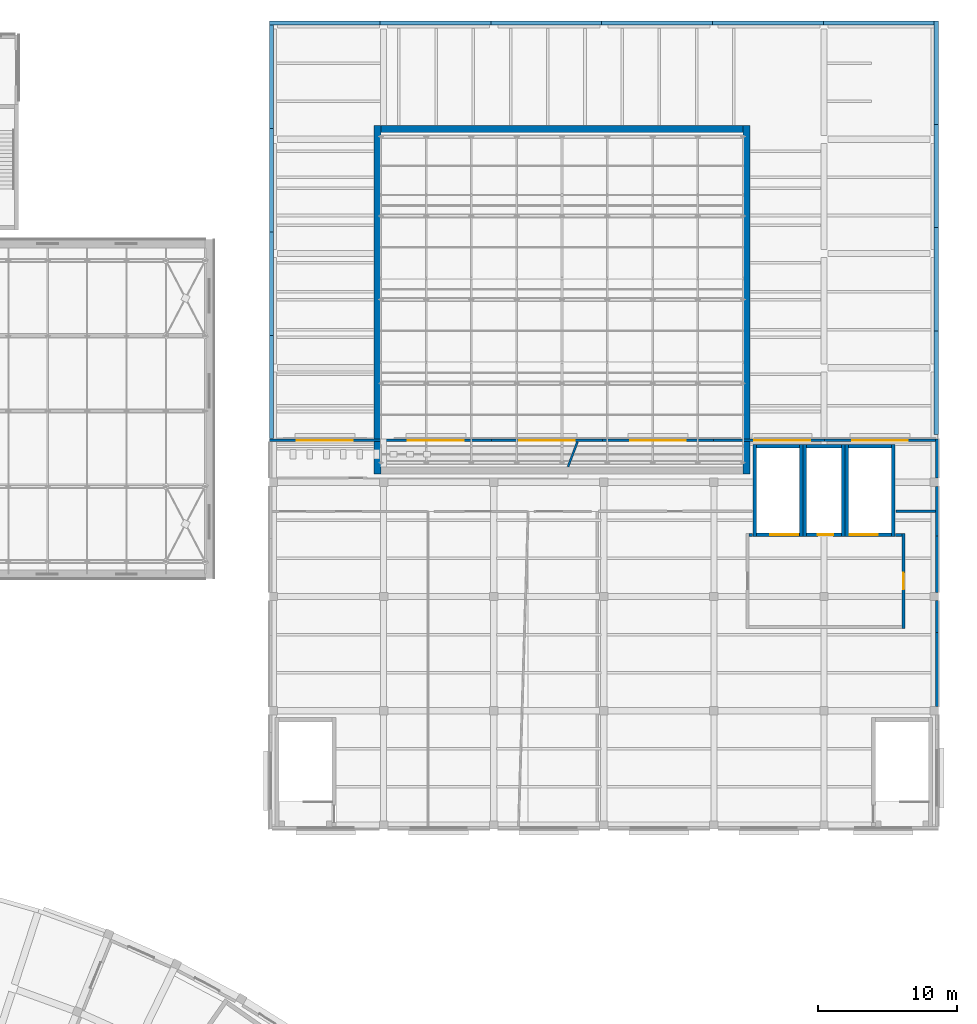
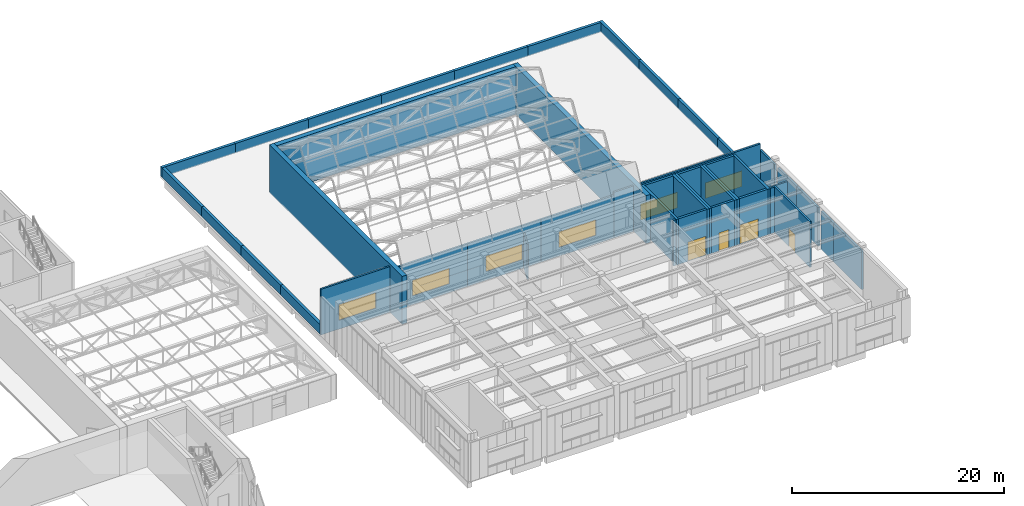
# One storey, part 82 of 132: 45 walls, 6 windows, 4 doors, 10 openings.
"""IFC4 building model written with IfcOpenShell, lengths in metres."""

from ifc_helpers import new_model, si_unit, direction, frame, frame_2d, origin, place, context, subcontext, project, spatial, rectangle, extrude, material, layer, layer_set, type_object, element, fill, save


model = new_model("IFC4")

# Units and contexts
model_context = context("Model", 3, precision=1e-05, world=origin(), true_north=direction((0.0, 1.0)))
body_context = subcontext(model_context, "Body", "Model", "MODEL_VIEW")
ifc_project = project(units=[si_unit("LENGTHUNIT", "METRE"), si_unit("AREAUNIT", "SQUARE_METRE"), si_unit("VOLUMEUNIT", "CUBIC_METRE"), si_unit("PLANEANGLEUNIT", "RADIAN"), si_unit("MASSUNIT", "GRAM", prefix="KILO")], contexts=[model_context])

# Site, building, storey
site_placement = place(None, origin())
site = spatial("IfcSite", under=ifc_project, at=site_placement, CompositionType="ELEMENT")
building_placement = place(site_placement, origin())
building = spatial("IfcBuilding", under=site, at=building_placement, Name="Lunette Opera House", CompositionType="ELEMENT")
storey_placement = place(building_placement, frame((0.0, 0.0, 17.0)))
storey = spatial("IfcBuildingStorey", under=building, at=storey_placement, Name="L03", CompositionType="ELEMENT", Elevation=17.0)

# Walls
ifc_material_1 = material(Name="Plastered clay blockwork", Category="masonry")
ifc_layer_1 = layer(ifc_material_1, 0.175048828125)
ifc_layer_set_1 = layer_set([ifc_layer_1], Name="Plastered clay blockwork")
wall_type_1 = type_object("IfcWallType", Name="ACOUSTIC BLOCK PARTITION 175", PredefinedType="PARTITIONING", material=ifc_layer_set_1)
wall_1_placement = place(storey_placement, frame((183.800048828125, 100.800048828125, 0.0), z_axis=(0.0, 0.0, 1.0), x_axis=(-1.0, 0.0, 0.0)))
element("IfcWall", 1, at=wall_1_placement, inside=storey, type_object=wall_type_1, Name="Partition Scenery Store Upper", PredefinedType="PARTITIONING", context=body_context, shape_type="SweptSolid", body=[
    extrude(rectangle(XDim=2.85009765625, YDim=0.175048828125, at=frame_2d((1.425048828125, 0.0))), origin(), (0.0, 0.0, 1.0), 4.0),
])
ifc_material_2 = material(Name="Plastered clay blockwork", Category="masonry")
ifc_layer_2 = layer(ifc_material_2, 0.14990234375)
ifc_layer_set_2 = layer_set([ifc_layer_2], Name="Plastered clay blockwork")
wall_type_2 = type_object("IfcWallType", Name="BLOCK PARTITION 150", PredefinedType="PARTITIONING", material=ifc_layer_set_2)
wall_2_placement = place(storey_placement, frame((157.428955078125, 104.0009765625, 0.0), z_axis=(0.0, 0.0, 1.0), x_axis=(0.354971642951, 0.934877068229, 0.0)))
element("IfcWall", 2, at=wall_2_placement, inside=storey, type_object=wall_type_2, Name="Partition Workshop WC L03", PredefinedType="PARTITIONING", context=body_context, shape_type="SweptSolid", body=[
    extrude(rectangle(XDim=1.92431640625, YDim=0.14990234375, at=frame_2d((0.962158203125, 0.0))), origin(), (0.0, 0.0, 1.0), 4.0),
])

# Wall, opening, door
ifc_material_3 = material(Name="Concrete C35/45", Category="concrete")
ifc_layer_3 = layer(ifc_material_3, 0.199951171875)
ifc_layer_set_3 = layer_set([ifc_layer_3], Name="Concrete C35/45")
wall_type_3 = type_object("IfcWallType", Name="LOBBY WALL 200", PredefinedType="PARTITIONING", material=ifc_layer_set_3)
wall_3_placement = place(storey_placement, frame((181.5, 92.39990234375, 0.0), z_axis=(0.0, 0.0, 1.0), x_axis=(0.0, 1.0, 0.0)))
wall_3 = element("IfcWall", 3, at=wall_3_placement, inside=storey, type_object=wall_type_3, Name="LL-W lobby wall 1a", PredefinedType="PARTITIONING", context=body_context, shape_type="SweptSolid", body=[
    extrude(rectangle(XDim=6.800048828125, YDim=0.199951171875, at=frame_2d((3.39990234375, 0.0))), origin(), (0.0, 0.0, 1.0), 5.25),
])
opening_1_placement = place(wall_3_placement, frame((2.800048828125, 0.0, 0.0)))
opening_1 = element("IfcOpeningElement", 4, at=opening_1_placement, cuts=wall_3, Name="Opening WW-D7023", PredefinedType="OPENING", context=body_context, shape_type="SweptSolid", body=[
    extrude(rectangle(XDim=1.199951171875, YDim=2.10009765625, at=frame_2d((0.60009765625, 1.050048828125))), frame((0.0, 0.112060546875, 0.0), z_axis=(0.0, -1.0, 0.0), x_axis=(1.0, 0.0, 0.0)), (0.0, 0.0, 1.0), 0.223876953125),
])
ifc_material_4 = material(Name="Steel", Category="steel")
door_type_1 = type_object("IfcDoorType", Name="FIRE DOOR 1200 X 2100", OperationType="SINGLE_SWING_LEFT", PredefinedType="DOOR", material=ifc_material_4)
door_1_placement = place(opening_1_placement, origin())
door_1 = element("IfcDoor", 5, at=door_1_placement, inside=storey, type_object=door_type_1, Name="LL-W lobby door", OperationType="SINGLE_SWING_LEFT", OverallHeight=2.10009765625, OverallWidth=1.199951171875, PredefinedType="DOOR", context=body_context, shape_type="SweptSolid", body=[
    extrude(rectangle(XDim=1.199951171875, YDim=2.10009765625, at=frame_2d((0.60009765625, 1.050048828125))), frame((0.0, 0.02490234375, 0.0), z_axis=(0.0, -1.0, 0.0), x_axis=(1.0, 0.0, 0.0)), (0.0, 0.0, 1.0), 0.050048828125),
])
fill(opening_1, door_1)

# Walls
wall_4_placement = place(storey_placement, frame((181.39990234375, 99.10009765625, 0.0), z_axis=(0.0, 0.0, 1.0), x_axis=(-1.0, 0.0, 0.0)))
element("IfcWall", 6, at=wall_4_placement, inside=storey, type_object=wall_type_3, Name="LL-W lobby wall 2a", PredefinedType="PARTITIONING", context=body_context, shape_type="SweptSolid", body=[
    extrude(rectangle(XDim=0.47998046875, YDim=0.199951171875, at=frame_2d((0.239990234375, 0.0))), origin(), (0.0, 0.0, 1.0), 5.25),
])
wall_5_placement = place(storey_placement, frame((170.679931640625, 99.10009765625, 0.0), z_axis=(0.0, 0.0, 1.0), x_axis=(-1.0, 0.0, 0.0)))
element("IfcWall", 7, at=wall_5_placement, inside=storey, type_object=wall_type_3, Name="LL-W lobby wall 2b", PredefinedType="PARTITIONING", context=body_context, shape_type="SweptSolid", body=[
    extrude(rectangle(XDim=0.280029296875, YDim=0.199951171875, at=frame_2d((0.14013671875, 0.0))), origin(), (0.0, 0.0, 1.0), 5.25),
])
ifc_material_5 = material(Name="Concrete C35/45", Category="concrete")
ifc_layer_4 = layer(ifc_material_5, 0.25)
ifc_layer_set_4 = layer_set([ifc_layer_4], Name="Concrete C35/45")
wall_type_4 = type_object("IfcWallType", Name="RC LIFT SHAFT WALL 250", PredefinedType="SOLIDWALL", material=ifc_layer_set_4)
wall_6_placement = place(storey_placement, frame((177.175048828125, 99.0, 0.0), z_axis=(0.0, 0.0, 1.0), x_axis=(0.0, 1.0, 0.0)))
element("IfcWall", 8, at=wall_6_placement, inside=storey, type_object=wall_type_4, Name="LF6 shaft wall 1", PredefinedType="SOLIDWALL", context=body_context, shape_type="SweptSolid", body=[
    extrude(rectangle(XDim=6.60009765625, YDim=0.25, at=frame_2d((3.300048828125, 0.0))), origin(), (0.0, 0.0, 1.0), 5.25),
])
wall_7_placement = place(storey_placement, frame((177.050048828125, 105.47509765625, 0.0), z_axis=(0.0, 0.0, 1.0), x_axis=(-1.0, 0.0, 0.0)))
element("IfcWall", 9, at=wall_7_placement, inside=storey, type_object=wall_type_4, Name="LF6 shaft wall 2", PredefinedType="SOLIDWALL", context=body_context, shape_type="SweptSolid", body=[
    extrude(rectangle(XDim=2.5, YDim=0.25, at=frame_2d((1.25, 0.0))), origin(), (0.0, 0.0, 1.0), 5.25),
])
wall_8_placement = place(storey_placement, frame((174.425048828125, 105.60009765625, 0.0), z_axis=(0.0, 0.0, 1.0), x_axis=(0.0, -1.0, 0.0)))
element("IfcWall", 10, at=wall_8_placement, inside=storey, type_object=wall_type_4, Name="LF6 shaft wall 3", PredefinedType="SOLIDWALL", context=body_context, shape_type="SweptSolid", body=[
    extrude(rectangle(XDim=6.60009765625, YDim=0.25, at=frame_2d((3.300048828125, 0.0))), origin(), (0.0, 0.0, 1.0), 5.25),
])

# Wall, opening, door
wall_9_placement = place(storey_placement, frame((174.550048828125, 99.125, 0.0), z_axis=(0.0, 0.0, 1.0), x_axis=(1.0, 0.0, 0.0)))
wall_9 = element("IfcWall", 11, at=wall_9_placement, inside=storey, type_object=wall_type_4, Name="LF6 shaft wall 4", PredefinedType="SOLIDWALL", context=body_context, shape_type="SweptSolid", body=[
    extrude(rectangle(XDim=2.5, YDim=0.25, at=frame_2d((1.25, 0.0))), origin(), (0.0, 0.0, 1.0), 5.25),
])
opening_2_placement = place(wall_9_placement, frame((0.800048828125, 0.0, 0.0)))
opening_2 = element("IfcOpeningElement", 12, at=opening_2_placement, cuts=wall_9, Name="Opening WW-LD005", PredefinedType="OPENING", context=body_context, shape_type="SweptSolid", body=[
    extrude(rectangle(XDim=1.10009765625, YDim=2.10009765625, at=frame_2d((0.550048828125, 1.050048828125))), frame((0.0, 0.136962890625, 0.0), z_axis=(0.0, -1.0, 0.0), x_axis=(1.0, 0.0, 0.0)), (0.0, 0.0, 1.0), 0.27392578125),
])
ifc_material_6 = material(Name="Stainless steel", Category="steel")
door_type_2 = type_object("IfcDoorType", Name="LIFT LANDING DOOR 1100 X 2100", OperationType="DOUBLE_DOOR_SLIDING", PredefinedType="DOOR", material=ifc_material_6)
door_2_placement = place(opening_2_placement, origin())
door_2 = element("IfcDoor", 13, at=door_2_placement, inside=storey, type_object=door_type_2, Name="LF6 lift landing door", OperationType="DOUBLE_DOOR_SLIDING", OverallHeight=2.10009765625, OverallWidth=1.10009765625, PredefinedType="DOOR", context=body_context, shape_type="SweptSolid", body=[
    extrude(rectangle(XDim=1.10009765625, YDim=2.10009765625, at=frame_2d((0.550048828125, 1.050048828125))), frame((0.0, 0.02490234375, 0.0), z_axis=(0.0, -1.0, 0.0), x_axis=(1.0, 0.0, 0.0)), (0.0, 0.0, 1.0), 0.050048828125),
])
fill(opening_2, door_2)

# Walls
wall_10_placement = place(storey_placement, frame((174.175048828125, 99.0, 0.0), z_axis=(0.0, 0.0, 1.0), x_axis=(0.0, 1.0, 0.0)))
element("IfcWall", 14, at=wall_10_placement, inside=storey, type_object=wall_type_4, Name="LG2 shaft wall 1", PredefinedType="SOLIDWALL", context=body_context, shape_type="SweptSolid", body=[
    extrude(rectangle(XDim=6.60009765625, YDim=0.25, at=frame_2d((3.300048828125, 0.0))), origin(), (0.0, 0.0, 1.0), 5.25),
])
wall_11_placement = place(storey_placement, frame((174.050048828125, 105.47509765625, 0.0), z_axis=(0.0, 0.0, 1.0), x_axis=(-1.0, 0.0, 0.0)))
element("IfcWall", 15, at=wall_11_placement, inside=storey, type_object=wall_type_4, Name="LG2 shaft wall 2", PredefinedType="SOLIDWALL", context=body_context, shape_type="SweptSolid", body=[
    extrude(rectangle(XDim=3.10009765625, YDim=0.25, at=frame_2d((1.550048828125, 0.0))), origin(), (0.0, 0.0, 1.0), 5.25),
])
wall_12_placement = place(storey_placement, frame((170.824951171875, 105.60009765625, 0.0), z_axis=(0.0, 0.0, 1.0), x_axis=(0.0, -1.0, 0.0)))
element("IfcWall", 16, at=wall_12_placement, inside=storey, type_object=wall_type_4, Name="LG2 shaft wall 3", PredefinedType="SOLIDWALL", context=body_context, shape_type="SweptSolid", body=[
    extrude(rectangle(XDim=6.60009765625, YDim=0.25, at=frame_2d((3.300048828125, 0.0))), origin(), (0.0, 0.0, 1.0), 5.25),
])

# Wall, opening, door
wall_13_placement = place(storey_placement, frame((170.949951171875, 99.125, 0.0), z_axis=(0.0, 0.0, 1.0), x_axis=(1.0, 0.0, 0.0)))
wall_13 = element("IfcWall", 17, at=wall_13_placement, inside=storey, type_object=wall_type_4, Name="LG2 shaft wall 4", PredefinedType="SOLIDWALL", context=body_context, shape_type="SweptSolid", body=[
    extrude(rectangle(XDim=3.10009765625, YDim=0.25, at=frame_2d((1.550048828125, 0.0))), origin(), (0.0, 0.0, 1.0), 5.25),
])
opening_3_placement = place(wall_13_placement, frame((1.0, 0.0, 0.0)))
opening_3 = element("IfcOpeningElement", 18, at=opening_3_placement, cuts=wall_13, Name="Opening WW-LD010", PredefinedType="OPENING", context=body_context, shape_type="SweptSolid", body=[
    extrude(rectangle(XDim=2.0, YDim=2.199951171875, at=frame_2d((1.0, 1.10009765625))), frame((0.0, 0.136962890625, 0.0), z_axis=(0.0, -1.0, 0.0), x_axis=(1.0, 0.0, 0.0)), (0.0, 0.0, 1.0), 0.27392578125),
])
ifc_material_7 = material(Name="Stainless steel", Category="steel")
door_type_3 = type_object("IfcDoorType", Name="LIFT LANDING DOOR 2000 X 2200", OperationType="DOUBLE_DOOR_SLIDING", PredefinedType="DOOR", material=ifc_material_7)
door_3_placement = place(opening_3_placement, origin())
door_3 = element("IfcDoor", 19, at=door_3_placement, inside=storey, type_object=door_type_3, Name="LG2 lift landing door", OperationType="DOUBLE_DOOR_SLIDING", OverallHeight=2.199951171875, OverallWidth=2.0, PredefinedType="DOOR", context=body_context, shape_type="SweptSolid", body=[
    extrude(rectangle(XDim=2.0, YDim=2.199951171875, at=frame_2d((1.0, 1.10009765625))), frame((0.0, 0.02490234375, 0.0), z_axis=(0.0, -1.0, 0.0), x_axis=(1.0, 0.0, 0.0)), (0.0, 0.0, 1.0), 0.050048828125),
])
fill(opening_3, door_3)

# Walls
wall_14_placement = place(storey_placement, frame((180.77490234375, 99.0, 0.0), z_axis=(0.0, 0.0, 1.0), x_axis=(0.0, 1.0, 0.0)))
element("IfcWall", 20, at=wall_14_placement, inside=storey, type_object=wall_type_4, Name="LG3 shaft wall 1", PredefinedType="SOLIDWALL", context=body_context, shape_type="SweptSolid", body=[
    extrude(rectangle(XDim=6.60009765625, YDim=0.25, at=frame_2d((3.300048828125, 0.0))), origin(), (0.0, 0.0, 1.0), 5.25),
])
wall_15_placement = place(storey_placement, frame((180.64990234375, 105.47509765625, 0.0), z_axis=(0.0, 0.0, 1.0), x_axis=(-1.0, 0.0, 0.0)))
element("IfcWall", 21, at=wall_15_placement, inside=storey, type_object=wall_type_4, Name="LG3 shaft wall 2", PredefinedType="SOLIDWALL", context=body_context, shape_type="SweptSolid", body=[
    extrude(rectangle(XDim=3.099853515625, YDim=0.25, at=frame_2d((1.5498046875, 0.0))), origin(), (0.0, 0.0, 1.0), 5.25),
])
wall_16_placement = place(storey_placement, frame((177.425048828125, 105.60009765625, 0.0), z_axis=(0.0, 0.0, 1.0), x_axis=(0.0, -1.0, 0.0)))
element("IfcWall", 22, at=wall_16_placement, inside=storey, type_object=wall_type_4, Name="LG3 shaft wall 3", PredefinedType="SOLIDWALL", context=body_context, shape_type="SweptSolid", body=[
    extrude(rectangle(XDim=6.60009765625, YDim=0.25, at=frame_2d((3.300048828125, 0.0))), origin(), (0.0, 0.0, 1.0), 5.25),
])

# Wall, opening, door
wall_17_placement = place(storey_placement, frame((177.550048828125, 99.125, 0.0), z_axis=(0.0, 0.0, 1.0), x_axis=(1.0, 0.0, 0.0)))
wall_17 = element("IfcWall", 23, at=wall_17_placement, inside=storey, type_object=wall_type_4, Name="LG3 shaft wall 4", PredefinedType="SOLIDWALL", context=body_context, shape_type="SweptSolid", body=[
    extrude(rectangle(XDim=3.099853515625, YDim=0.25, at=frame_2d((1.5498046875, 0.0))), origin(), (0.0, 0.0, 1.0), 5.25),
])
opening_4_placement = place(wall_17_placement, frame((0.10009765625, 0.0, 0.0)))
opening_4 = element("IfcOpeningElement", 24, at=opening_4_placement, cuts=wall_17, Name="Opening WW-LD015", PredefinedType="OPENING", context=body_context, shape_type="SweptSolid", body=[
    extrude(rectangle(XDim=2.0, YDim=2.199951171875, at=frame_2d((1.0, 1.10009765625))), frame((0.0, 0.136962890625, 0.0), z_axis=(0.0, -1.0, 0.0), x_axis=(1.0, 0.0, 0.0)), (0.0, 0.0, 1.0), 0.27392578125),
])
door_4_placement = place(opening_4_placement, origin())
door_4 = element("IfcDoor", 25, at=door_4_placement, inside=storey, type_object=door_type_3, Name="LG3 lift landing door", OperationType="DOUBLE_DOOR_SLIDING", OverallHeight=2.199951171875, OverallWidth=2.0, PredefinedType="DOOR", context=body_context, shape_type="SweptSolid", body=[
    extrude(rectangle(XDim=2.0, YDim=2.199951171875, at=frame_2d((1.0, 1.10009765625))), frame((0.0, 0.02490234375, 0.0), z_axis=(0.0, -1.0, 0.0), x_axis=(1.0, 0.0, 0.0)), (0.0, 0.0, 1.0), 0.050048828125),
])
fill(opening_4, door_4)

# Walls
ifc_material_8 = material(Name="Concrete C35/45", Category="concrete")
ifc_layer_5 = layer(ifc_material_8, 0.5)
ifc_layer_set_5 = layer_set([ifc_layer_5], Name="Concrete C35/45")
wall_type_5 = type_object("IfcWallType", Name="RC WALL 500", PredefinedType="SHEAR", material=ifc_layer_set_5)
wall_18_placement = place(storey_placement, frame((143.5, 128.25, 0.0), z_axis=(0.0, 0.0, 1.0), x_axis=(1.0, 0.0, 0.0)))
element("IfcWall", 26, at=wall_18_placement, inside=storey, type_object=wall_type_5, Name="wall-WW-L03-PH-N-1", PredefinedType="SHEAR", context=body_context, shape_type="SweptSolid", body=[
    extrude(rectangle(XDim=27.0, YDim=0.5, at=frame_2d((13.5, 0.0))), origin(), (0.0, 0.0, 1.0), 5.5),
])
for number, where, z_axis, x_axis, name in (
    (27, (143.75, 103.5, 0.0), (0.0, 0.0, 1.0), (0.0, 1.0, 0.0), "wall-WW-L03-PH-W-1"),
    (28, (170.25, 103.5, 0.0), (0.0, 0.0, 1.0), (0.0, 1.0, 0.0), "wall-WW-L03-PH-E-1"),
):
    element("IfcWall", number, at=place(storey_placement, frame(where, z_axis=z_axis, x_axis=x_axis)), inside=storey, type_object=wall_type_5, Name=name, PredefinedType="SHEAR", context=body_context, shape_type="SweptSolid", body=[
        extrude(rectangle(XDim=25.0, YDim=0.5, at=frame_2d((12.5, 0.0))), origin(), (0.0, 0.0, 1.0), 5.5),
    ])
ifc_material_9 = material(Name="Clinker brick", Category="masonry")
ifc_layer_6 = layer(ifc_material_9, 0.300048828125)
ifc_layer_set_6 = layer_set([ifc_layer_6], Name="Clinker brick")
wall_type_6 = type_object("IfcWallType", Name="ROOF PARAPET WALL 300", PredefinedType="PARAPET", material=ifc_layer_set_6)
for number, where, z_axis, x_axis, name in (
    (29, (183.85009765625, 106.320068359375, 0.0), (0.0, 0.0, 1.0), (0.0, 1.0, 0.0), "Roof Parapet Wall 300 PA-L02-11 L03"),
    (30, (183.85009765625, 113.739990234375, 0.0), (0.0, 0.0, 1.0), (0.0, 1.0, 0.0), "Roof Parapet Wall 300 PA-L02-12 L03"),
):
    element("IfcWall", number, at=place(storey_placement, frame(where, z_axis=z_axis, x_axis=x_axis)), inside=storey, type_object=wall_type_6, Name=name, PredefinedType="PARAPET", context=body_context, shape_type="SweptSolid", body=[
        extrude(rectangle(XDim=7.419921875, YDim=0.300048828125, at=frame_2d((3.7099609375, 0.0))), origin(), (0.0, 0.0, 1.0), 1.10009765625),
    ])
wall_19_placement = place(storey_placement, frame((183.85009765625, 121.159912109375, 0.0), z_axis=(0.0, 0.0, 1.0), x_axis=(0.0, 1.0, 0.0)))
element("IfcWall", 31, at=wall_19_placement, inside=storey, type_object=wall_type_6, Name="Roof Parapet Wall 300 PA-L02-13 L03", PredefinedType="PARAPET", context=body_context, shape_type="SweptSolid", body=[
    extrude(rectangle(XDim=7.420166015625, YDim=0.300048828125, at=frame_2d((3.7099609375, 0.0))), origin(), (0.0, 0.0, 1.0), 1.10009765625),
])
wall_20_placement = place(storey_placement, frame((183.85009765625, 128.580078125, 0.0), z_axis=(0.0, 0.0, 1.0), x_axis=(0.0, 1.0, 0.0)))
element("IfcWall", 32, at=wall_20_placement, inside=storey, type_object=wall_type_6, Name="Roof Parapet Wall 300 PA-L02-14 L03", PredefinedType="PARAPET", context=body_context, shape_type="SweptSolid", body=[
    extrude(rectangle(XDim=7.419921875, YDim=0.300048828125, at=frame_2d((3.7099609375, 0.0))), origin(), (0.0, 0.0, 1.0), 1.10009765625),
])
for number, where, z_axis, x_axis, name in (
    (33, (183.699951171875, 135.85009765625, 0.0), (0.0, 0.0, 1.0), (-1.0, 0.0, 0.0), "Roof Parapet Wall 300 PA-L02-15 L03"),
    (34, (175.75, 135.85009765625, 0.0), (0.0, 0.0, 1.0), (-1.0, 0.0, 0.0), "Roof Parapet Wall 300 PA-L02-16 L03"),
    (35, (167.800048828125, 135.85009765625, 0.0), (0.0, 0.0, 1.0), (-1.0, 0.0, 0.0), "Roof Parapet Wall 300 PA-L02-17 L03"),
):
    element("IfcWall", number, at=place(storey_placement, frame(where, z_axis=z_axis, x_axis=x_axis)), inside=storey, type_object=wall_type_6, Name=name, PredefinedType="PARAPET", context=body_context, shape_type="SweptSolid", body=[
        extrude(rectangle(XDim=7.949951171875, YDim=0.300048828125, at=frame_2d((3.97509765625, 0.0))), origin(), (0.0, 0.0, 1.0), 1.10009765625),
    ])
wall_21_placement = place(storey_placement, frame((159.85009765625, 135.85009765625, 0.0), z_axis=(0.0, 0.0, 1.0), x_axis=(-1.0, 0.0, 0.0)))
element("IfcWall", 36, at=wall_21_placement, inside=storey, type_object=wall_type_6, Name="Roof Parapet Wall 300 PA-L02-18 L03", PredefinedType="PARAPET", context=body_context, shape_type="SweptSolid", body=[
    extrude(rectangle(XDim=7.9501953125, YDim=0.300048828125, at=frame_2d((3.97509765625, 0.0))), origin(), (0.0, 0.0, 1.0), 1.10009765625),
])
for number, where, z_axis, x_axis, name in (
    (37, (151.89990234375, 135.85009765625, 0.0), (0.0, 0.0, 1.0), (-1.0, 0.0, 0.0), "Roof Parapet Wall 300 PA-L02-19 L03"),
    (38, (143.949951171875, 135.85009765625, 0.0), (0.0, 0.0, 1.0), (-1.0, 0.0, 0.0), "Roof Parapet Wall 300 PA-L02-20 L03"),
):
    element("IfcWall", number, at=place(storey_placement, frame(where, z_axis=z_axis, x_axis=x_axis)), inside=storey, type_object=wall_type_6, Name=name, PredefinedType="PARAPET", context=body_context, shape_type="SweptSolid", body=[
        extrude(rectangle(XDim=7.949951171875, YDim=0.300048828125, at=frame_2d((3.97509765625, 0.0))), origin(), (0.0, 0.0, 1.0), 1.10009765625),
    ])
for number, where, z_axis, x_axis, name in (
    (39, (136.14990234375, 135.699951171875, 0.0), (0.0, 0.0, 1.0), (0.0, -1.0, 0.0), "Roof Parapet Wall 300 PA-L02-21 L03"),
    (40, (136.14990234375, 128.280029296875, 0.0), (0.0, 0.0, 1.0), (0.0, -1.0, 0.0), "Roof Parapet Wall 300 PA-L02-22 L03"),
):
    element("IfcWall", number, at=place(storey_placement, frame(where, z_axis=z_axis, x_axis=x_axis)), inside=storey, type_object=wall_type_6, Name=name, PredefinedType="PARAPET", context=body_context, shape_type="SweptSolid", body=[
        extrude(rectangle(XDim=7.419921875, YDim=0.300048828125, at=frame_2d((3.7099609375, 0.0))), origin(), (0.0, 0.0, 1.0), 1.10009765625),
    ])
wall_22_placement = place(storey_placement, frame((136.14990234375, 120.860107421875, 0.0), z_axis=(0.0, 0.0, 1.0), x_axis=(0.0, -1.0, 0.0)))
element("IfcWall", 41, at=wall_22_placement, inside=storey, type_object=wall_type_6, Name="Roof Parapet Wall 300 PA-L02-23 L03", PredefinedType="PARAPET", context=body_context, shape_type="SweptSolid", body=[
    extrude(rectangle(XDim=7.420166015625, YDim=0.300048828125, at=frame_2d((3.7099609375, 0.0))), origin(), (0.0, 0.0, 1.0), 1.10009765625),
])
wall_23_placement = place(storey_placement, frame((136.14990234375, 113.43994140625, 0.0), z_axis=(0.0, 0.0, 1.0), x_axis=(0.0, -1.0, 0.0)))
element("IfcWall", 42, at=wall_23_placement, inside=storey, type_object=wall_type_6, Name="Roof Parapet Wall 300 PA-L02-24 L03", PredefinedType="PARAPET", context=body_context, shape_type="SweptSolid", body=[
    extrude(rectangle(XDim=7.419921875, YDim=0.300048828125, at=frame_2d((3.7099609375, 0.0))), origin(), (0.0, 0.0, 1.0), 1.10009765625),
])

# Wall, opening, window
ifc_material_10 = material(Name="Insulated aluminium sandwich panel", Category="aluminium")
ifc_layer_7 = layer(ifc_material_10, 0.199951171875)
ifc_layer_set_7 = layer_set([ifc_layer_7], Name="Insulated aluminium sandwich panel")
wall_type_7 = type_object("IfcWallType", Name="WORKSHOP METAL PANEL WALL 200", PredefinedType="SOLIDWALL", material=ifc_layer_set_7)
wall_24_placement = place(storey_placement, frame((183.800048828125, 105.89990234375, 0.0), z_axis=(0.0, 0.0, 1.0), x_axis=(-1.0, 0.0, 0.0)))
wall_24 = element("IfcWall", 43, at=wall_24_placement, inside=storey, type_object=wall_type_7, Name="Workshop Metal Panel Wall 200 F01 L03", PredefinedType="SOLIDWALL", context=body_context, shape_type="SweptSolid", body=[
    extrude(rectangle(XDim=7.967041015625, YDim=0.199951171875, at=frame_2d((3.9833984375, 0.0))), origin(), (0.0, 0.0, 1.0), 5.25),
])
opening_5_placement = place(wall_24_placement, frame((1.98291015625, 0.0, 1.0)))
opening_5 = element("IfcOpeningElement", 44, at=opening_5_placement, cuts=wall_24, Name="Opening WW-N2033", PredefinedType="OPENING", context=body_context, shape_type="SweptSolid", body=[
    extrude(rectangle(XDim=4.0, YDim=1.800048828125, at=frame_2d((2.0, 0.89990234375))), frame((0.0, 0.112060546875, 0.0), z_axis=(0.0, -1.0, 0.0), x_axis=(1.0, 0.0, 0.0)), (0.0, 0.0, 1.0), 0.223876953125),
])
ifc_material_11 = material(Name="Aluminium", Category="aluminium")
window_type = type_object("IfcWindowType", Name="WORKSHOP RIBBON WINDOW 4000 X 1800", PartitioningType="DOUBLE_PANEL_VERTICAL", PredefinedType="WINDOW", material=ifc_material_11)
window_1_placement = place(opening_5_placement, origin())
window_1 = element("IfcWindow", 45, at=window_1_placement, inside=storey, type_object=window_type, Name="Workshop Ribbon Window 4000 X 1800 F01 L03", OverallHeight=1.800048828125, OverallWidth=4.0, PartitioningType="DOUBLE_PANEL_VERTICAL", PredefinedType="WINDOW", context=body_context, shape_type="SweptSolid", body=[
    extrude(rectangle(XDim=4.0, YDim=1.800048828125, at=frame_2d((2.0, 0.89990234375))), frame((0.0, 0.030029296875, 0.0), z_axis=(0.0, -1.0, 0.0), x_axis=(1.0, 0.0, 0.0)), (0.0, 0.0, 1.0), 0.06005859375),
])
fill(opening_5, window_1)

wall_25_placement = place(storey_placement, frame((175.8330078125, 105.89990234375, 0.0), z_axis=(0.0, 0.0, 1.0), x_axis=(-1.0, 0.0, 0.0)))
wall_25 = element("IfcWall", 46, at=wall_25_placement, inside=storey, type_object=wall_type_7, Name="Workshop Metal Panel Wall 200 F02 L03", PredefinedType="SOLIDWALL", context=body_context, shape_type="SweptSolid", body=[
    extrude(rectangle(XDim=7.966064453125, YDim=0.199951171875, at=frame_2d((3.98291015625, 0.0))), origin(), (0.0, 0.0, 1.0), 5.25),
])
opening_6_placement = place(wall_25_placement, frame((1.032958984375, 0.0, 1.0)))
opening_6 = element("IfcOpeningElement", 47, at=opening_6_placement, cuts=wall_25, Name="Opening WW-N2034", PredefinedType="OPENING", context=body_context, shape_type="SweptSolid", body=[
    extrude(rectangle(XDim=4.0, YDim=1.800048828125, at=frame_2d((2.0, 0.89990234375))), frame((0.0, 0.112060546875, 0.0), z_axis=(0.0, -1.0, 0.0), x_axis=(1.0, 0.0, 0.0)), (0.0, 0.0, 1.0), 0.223876953125),
])
window_2_placement = place(opening_6_placement, origin())
window_2 = element("IfcWindow", 48, at=window_2_placement, inside=storey, type_object=window_type, Name="Workshop Ribbon Window 4000 X 1800 F02 L03", OverallHeight=1.800048828125, OverallWidth=4.0, PartitioningType="DOUBLE_PANEL_VERTICAL", PredefinedType="WINDOW", context=body_context, shape_type="SweptSolid", body=[
    extrude(rectangle(XDim=4.0, YDim=1.800048828125, at=frame_2d((2.0, 0.89990234375))), frame((0.0, 0.030029296875, 0.0), z_axis=(0.0, -1.0, 0.0), x_axis=(1.0, 0.0, 0.0)), (0.0, 0.0, 1.0), 0.06005859375),
])
fill(opening_6, window_2)

wall_26_placement = place(storey_placement, frame((167.866943359375, 105.89990234375, 0.0), z_axis=(0.0, 0.0, 1.0), x_axis=(-1.0, 0.0, 0.0)))
wall_26 = element("IfcWall", 49, at=wall_26_placement, inside=storey, type_object=wall_type_7, Name="Workshop Metal Panel Wall 200 F03 L03", PredefinedType="SOLIDWALL", context=body_context, shape_type="SweptSolid", body=[
    extrude(rectangle(XDim=7.967041015625, YDim=0.199951171875, at=frame_2d((3.9833984375, 0.0))), origin(), (0.0, 0.0, 1.0), 4.89990234375),
])
opening_7_placement = place(wall_26_placement, frame((1.98291015625, 0.0, 1.0)))
opening_7 = element("IfcOpeningElement", 50, at=opening_7_placement, cuts=wall_26, Name="Opening WW-N2035", PredefinedType="OPENING", context=body_context, shape_type="SweptSolid", body=[
    extrude(rectangle(XDim=4.0, YDim=1.800048828125, at=frame_2d((2.0, 0.89990234375))), frame((0.0, 0.112060546875, 0.0), z_axis=(0.0, -1.0, 0.0), x_axis=(1.0, 0.0, 0.0)), (0.0, 0.0, 1.0), 0.223876953125),
])
window_3_placement = place(opening_7_placement, origin())
window_3 = element("IfcWindow", 51, at=window_3_placement, inside=storey, type_object=window_type, Name="Workshop Ribbon Window 4000 X 1800 F03 L03", OverallHeight=1.800048828125, OverallWidth=4.0, PartitioningType="DOUBLE_PANEL_VERTICAL", PredefinedType="WINDOW", context=body_context, shape_type="SweptSolid", body=[
    extrude(rectangle(XDim=4.0, YDim=1.800048828125, at=frame_2d((2.0, 0.89990234375))), frame((0.0, 0.030029296875, 0.0), z_axis=(0.0, -1.0, 0.0), x_axis=(1.0, 0.0, 0.0)), (0.0, 0.0, 1.0), 0.06005859375),
])
fill(opening_7, window_3)

wall_27_placement = place(storey_placement, frame((159.89990234375, 105.89990234375, 0.0), z_axis=(0.0, 0.0, 1.0), x_axis=(-1.0, 0.0, 0.0)))
wall_27 = element("IfcWall", 52, at=wall_27_placement, inside=storey, type_object=wall_type_7, Name="Workshop Metal Panel Wall 200 F04 L03", PredefinedType="SOLIDWALL", context=body_context, shape_type="SweptSolid", body=[
    extrude(rectangle(XDim=7.966796875, YDim=0.199951171875, at=frame_2d((3.9833984375, 0.0))), origin(), (0.0, 0.0, 1.0), 4.89990234375),
])
opening_8_placement = place(wall_27_placement, frame((1.98291015625, 0.0, 1.0)))
opening_8 = element("IfcOpeningElement", 53, at=opening_8_placement, cuts=wall_27, Name="Opening WW-N2036", PredefinedType="OPENING", context=body_context, shape_type="SweptSolid", body=[
    extrude(rectangle(XDim=4.0, YDim=1.800048828125, at=frame_2d((2.0, 0.89990234375))), frame((0.0, 0.112060546875, 0.0), z_axis=(0.0, -1.0, 0.0), x_axis=(1.0, 0.0, 0.0)), (0.0, 0.0, 1.0), 0.223876953125),
])
window_4_placement = place(opening_8_placement, origin())
window_4 = element("IfcWindow", 54, at=window_4_placement, inside=storey, type_object=window_type, Name="Workshop Ribbon Window 4000 X 1800 F04 L03", OverallHeight=1.800048828125, OverallWidth=4.0, PartitioningType="DOUBLE_PANEL_VERTICAL", PredefinedType="WINDOW", context=body_context, shape_type="SweptSolid", body=[
    extrude(rectangle(XDim=4.0, YDim=1.800048828125, at=frame_2d((2.0, 0.89990234375))), frame((0.0, 0.030029296875, 0.0), z_axis=(0.0, -1.0, 0.0), x_axis=(1.0, 0.0, 0.0)), (0.0, 0.0, 1.0), 0.06005859375),
])
fill(opening_8, window_4)

wall_28_placement = place(storey_placement, frame((151.93310546875, 105.89990234375, 0.0), z_axis=(0.0, 0.0, 1.0), x_axis=(-1.0, 0.0, 0.0)))
wall_28 = element("IfcWall", 55, at=wall_28_placement, inside=storey, type_object=wall_type_7, Name="Workshop Metal Panel Wall 200 F05 L03", PredefinedType="SOLIDWALL", context=body_context, shape_type="SweptSolid", body=[
    extrude(rectangle(XDim=7.966064453125, YDim=0.199951171875, at=frame_2d((3.98291015625, 0.0))), origin(), (0.0, 0.0, 1.0), 4.89990234375),
])
opening_9_placement = place(wall_28_placement, frame((1.98291015625, 0.0, 1.0)))
opening_9 = element("IfcOpeningElement", 56, at=opening_9_placement, cuts=wall_28, Name="Opening WW-N2037", PredefinedType="OPENING", context=body_context, shape_type="SweptSolid", body=[
    extrude(rectangle(XDim=4.0, YDim=1.800048828125, at=frame_2d((2.0, 0.89990234375))), frame((0.0, 0.112060546875, 0.0), z_axis=(0.0, -1.0, 0.0), x_axis=(1.0, 0.0, 0.0)), (0.0, 0.0, 1.0), 0.223876953125),
])
window_5_placement = place(opening_9_placement, origin())
window_5 = element("IfcWindow", 57, at=window_5_placement, inside=storey, type_object=window_type, Name="Workshop Ribbon Window 4000 X 1800 F05 L03", OverallHeight=1.800048828125, OverallWidth=4.0, PartitioningType="DOUBLE_PANEL_VERTICAL", PredefinedType="WINDOW", context=body_context, shape_type="SweptSolid", body=[
    extrude(rectangle(XDim=4.0, YDim=1.800048828125, at=frame_2d((2.0, 0.89990234375))), frame((0.0, 0.030029296875, 0.0), z_axis=(0.0, -1.0, 0.0), x_axis=(1.0, 0.0, 0.0)), (0.0, 0.0, 1.0), 0.06005859375),
])
fill(opening_9, window_5)

wall_29_placement = place(storey_placement, frame((143.967041015625, 105.89990234375, 0.0), z_axis=(0.0, 0.0, 1.0), x_axis=(-1.0, 0.0, 0.0)))
wall_29 = element("IfcWall", 58, at=wall_29_placement, inside=storey, type_object=wall_type_7, Name="Workshop Metal Panel Wall 200 F06 L03", PredefinedType="SOLIDWALL", context=body_context, shape_type="SweptSolid", body=[
    extrude(rectangle(XDim=7.967041015625, YDim=0.199951171875, at=frame_2d((3.9833984375, 0.0))), origin(), (0.0, 0.0, 1.0), 5.25),
])
opening_10_placement = place(wall_29_placement, frame((1.98291015625, 0.0, 1.0)))
opening_10 = element("IfcOpeningElement", 59, at=opening_10_placement, cuts=wall_29, Name="Opening WW-N2038", PredefinedType="OPENING", context=body_context, shape_type="SweptSolid", body=[
    extrude(rectangle(XDim=4.0, YDim=1.800048828125, at=frame_2d((2.0, 0.89990234375))), frame((0.0, 0.112060546875, 0.0), z_axis=(0.0, -1.0, 0.0), x_axis=(1.0, 0.0, 0.0)), (0.0, 0.0, 1.0), 0.223876953125),
])
window_6_placement = place(opening_10_placement, origin())
window_6 = element("IfcWindow", 60, at=window_6_placement, inside=storey, type_object=window_type, Name="Workshop Ribbon Window 4000 X 1800 F06 L03", OverallHeight=1.800048828125, OverallWidth=4.0, PartitioningType="DOUBLE_PANEL_VERTICAL", PredefinedType="WINDOW", context=body_context, shape_type="SweptSolid", body=[
    extrude(rectangle(XDim=4.0, YDim=1.800048828125, at=frame_2d((2.0, 0.89990234375))), frame((0.0, 0.030029296875, 0.0), z_axis=(0.0, -1.0, 0.0), x_axis=(1.0, 0.0, 0.0)), (0.0, 0.0, 1.0), 0.06005859375),
])
fill(opening_10, window_6)

# Walls
wall_30_placement = place(storey_placement, frame((183.89990234375, 86.800048828125, 0.0), z_axis=(0.0, 0.0, 1.0), x_axis=(0.0, 1.0, 0.0)))
element("IfcWall", 61, at=wall_30_placement, inside=storey, type_object=wall_type_7, Name="Workshop Metal Panel Wall 200 F18-2 L03", PredefinedType="SOLIDWALL", context=body_context, shape_type="SweptSolid", body=[
    extrude(rectangle(XDim=5.300048828125, YDim=0.199951171875, at=frame_2d((2.64990234375, 0.0))), origin(), (0.0, 0.0, 1.0), 4.449951171875),
])
wall_31_placement = place(storey_placement, frame((183.89990234375, 92.10009765625, 0.0), z_axis=(0.0, 0.0, 1.0), x_axis=(0.0, 1.0, 0.0)))
element("IfcWall", 62, at=wall_31_placement, inside=storey, type_object=wall_type_7, Name="Workshop Metal Panel Wall 200 F19-1 L03", PredefinedType="SOLIDWALL", context=body_context, shape_type="SweptSolid", body=[
    extrude(rectangle(XDim=2.2998046875, YDim=0.199951171875, at=frame_2d((1.14990234375, 0.0))), origin(), (0.0, 0.0, 1.0), 4.449951171875),
])
wall_32_placement = place(storey_placement, frame((183.89990234375, 95.0, 0.0), z_axis=(0.0, 0.0, 1.0), x_axis=(0.0, 1.0, 0.0)))
element("IfcWall", 63, at=wall_32_placement, inside=storey, type_object=wall_type_7, Name="Workshop Metal Panel Wall 200 F19-2 L03", PredefinedType="SOLIDWALL", context=body_context, shape_type="SweptSolid", body=[
    extrude(rectangle(XDim=4.050048828125, YDim=0.199951171875, at=frame_2d((2.02490234375, 0.0))), origin(), (0.0, 0.0, 1.0), 4.449951171875),
])
wall_33_placement = place(storey_placement, frame((183.89990234375, 99.050048828125, 0.0), z_axis=(0.0, 0.0, 1.0), x_axis=(0.0, 1.0, 0.0)))
element("IfcWall", 64, at=wall_33_placement, inside=storey, type_object=wall_type_7, Name="Workshop Metal Panel Wall 200 F20-1 L03", PredefinedType="SOLIDWALL", context=body_context, shape_type="SweptSolid", body=[
    extrude(rectangle(XDim=3.550048828125, YDim=0.199951171875, at=frame_2d((1.77490234375, 0.0))), origin(), (0.0, 0.0, 1.0), 4.449951171875),
])
wall_34_placement = place(storey_placement, frame((183.89990234375, 103.199951171875, 0.0), z_axis=(0.0, 0.0, 1.0), x_axis=(0.0, 1.0, 0.0)))
element("IfcWall", 65, at=wall_34_placement, inside=storey, type_object=wall_type_7, Name="Workshop Metal Panel Wall 200 F20-2 L03", PredefinedType="SOLIDWALL", context=body_context, shape_type="SweptSolid", body=[
    extrude(rectangle(XDim=2.800048828125, YDim=0.199951171875, at=frame_2d((1.39990234375, 0.0))), origin(), (0.0, 0.0, 1.0), 4.449951171875),
])

save(model, "model.ifc")
